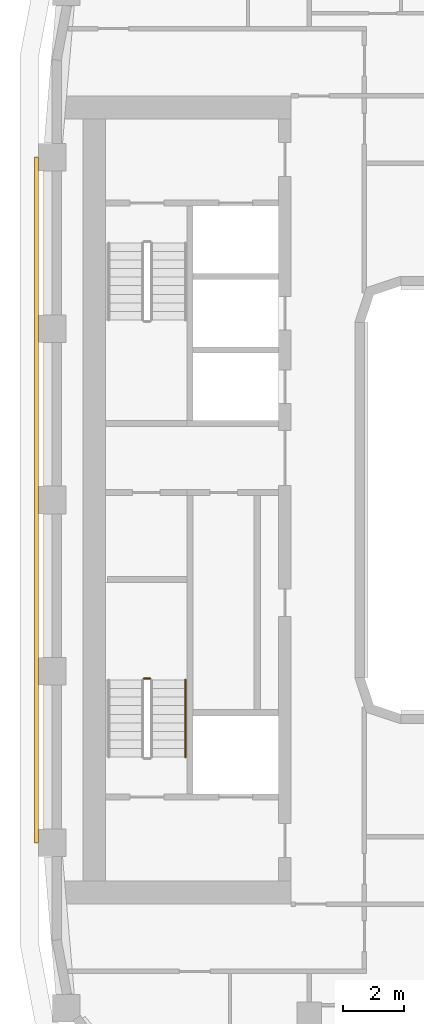
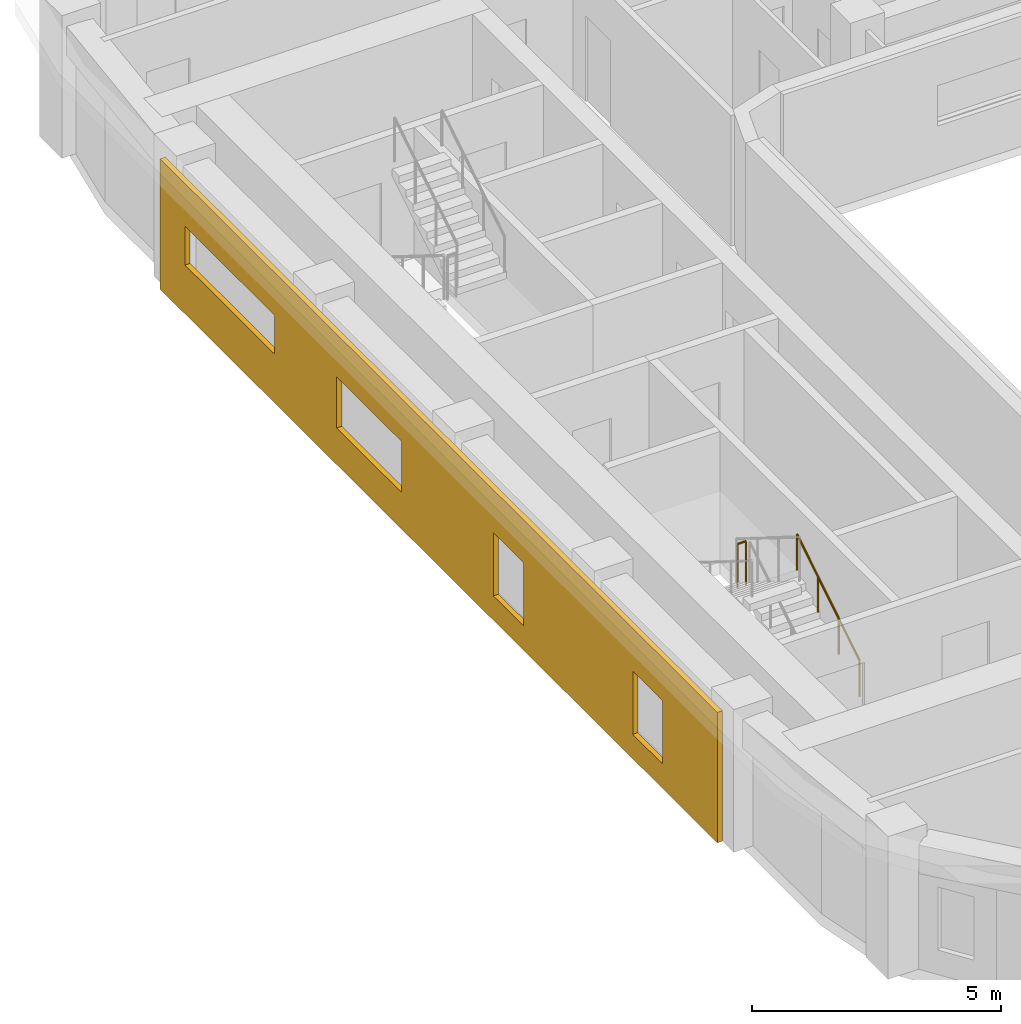
# One storey, part 12 of 20: 2 railings, 1 covering.
"""IFC4 building model written with IfcOpenShell, lengths in metres."""

from ifc_helpers import new_model, si_unit, direction, frame, origin, origin_2d, place, context, subcontext, project, spatial, polyline, circle, outline, extrude, material, layer, layer_set, type_object, element, save


model = new_model("IFC4")

# Units and contexts
model_context = context("Model", 3, precision=1e-05, world=origin(), true_north=direction((0.0, 1.0)))
body_context = subcontext(model_context, "Body", "Model", "MODEL_VIEW")
ifc_project = project(units=[si_unit("LENGTHUNIT", "METRE"), si_unit("AREAUNIT", "SQUARE_METRE"), si_unit("VOLUMEUNIT", "CUBIC_METRE"), si_unit("PLANEANGLEUNIT", "RADIAN"), si_unit("MASSUNIT", "GRAM", prefix="KILO")], contexts=[model_context])

# Site, building, storey
site_placement = place(None, origin())
site = spatial("IfcSite", under=ifc_project, at=site_placement, CompositionType="ELEMENT")
building_placement = place(site_placement, origin())
building = spatial("IfcBuilding", under=site, at=building_placement, Name="Kiln Ring Residences", CompositionType="ELEMENT")
storey_placement = place(building_placement, frame((0.0, 0.0, 206.39990234375)))
storey = spatial("IfcBuildingStorey", under=building, at=storey_placement, Name="L53", CompositionType="ELEMENT", Elevation=206.39990234375)

# Railings
ifc_material_1 = material(Name="Stainless steel", Category="steel")
railing_type_1 = type_object("IfcRailingType", Name="CORE-STAIR-GUARD", PredefinedType="GUARDRAIL", material=ifc_material_1)
railing_1_placement = place(storey_placement, frame((-22.0, -5.830078125, 1.75)))
element("IfcRailing", 1, at=railing_1_placement, inside=storey, type_object=railing_type_1, Name="L53 W-STS stair guard 2", PredefinedType="GUARDRAIL", context=body_context, shape_type="SweptSolid", body=[
    extrude(circle(Radius=0.02392578125, at=origin_2d()), frame((0.0, 0.0, 1.076171875), z_axis=(-1.0, 0.0, 0.0), x_axis=(0.0, -1.0, 0.0)), (0.0, 0.0, 1.0), 0.199951171875),
    extrude(circle(Radius=0.02099609375, at=origin_2d()), origin(), (0.0, 0.0, 1.0), 1.052001953125),
    extrude(circle(Radius=0.02099609375, at=origin_2d()), frame((-0.199951171875, 0.0, 0.0)), (0.0, 0.0, 1.0), 1.052001953125),
])
ifc_material_2 = material(Name="Stainless steel", Category="steel")
railing_type_2 = type_object("IfcRailingType", Name="CORE-STAIR-HANDRAIL", PredefinedType="HANDRAIL", material=ifc_material_2)
railing_2_placement = place(storey_placement, frame((-20.85009765625, -8.39990234375, 0.175048828125)))
element("IfcRailing", 2, at=railing_2_placement, inside=storey, type_object=railing_type_2, Name="L53 W-STS stair handrail 1", PredefinedType="HANDRAIL", context=body_context, shape_type="SweptSolid", body=[
    extrude(circle(Radius=0.02392578125, at=origin_2d()), frame((0.0, 0.0, 0.8759765625), z_axis=(0.0, 0.848007534815, 0.529984170421), x_axis=(-1.0, 0.0, 0.0)), (0.0, 0.0, 1.0), 2.9716796875),
    extrude(circle(Radius=0.02099609375, at=origin_2d()), origin(), (0.0, 0.0, 1.0), 0.851806640625),
    extrude(circle(Radius=0.02099609375, at=origin_2d()), frame((0.0, 0.840087890625, 0.52490234375)), (0.0, 0.0, 1.0), 0.851806640625),
    extrude(circle(Radius=0.02099609375, at=origin_2d()), frame((0.0, 1.679931640625, 1.050048828125)), (0.0, 0.0, 1.0), 0.851806640625),
    extrude(circle(Radius=0.02099609375, at=origin_2d()), frame((0.0, 2.52001953125, 1.574951171875)), (0.0, 0.0, 1.0), 0.851806640625),
])

# Covering
ifc_material_3 = material(Name="Brick masonry, dark clay brick", Category="masonry")
ifc_layer = layer(ifc_material_3, 0.1201171875)
ifc_layer_set = layer_set([ifc_layer], Name="RAINSCREEN PANEL 120")
covering_type = type_object("IfcCoveringType", Name="RAINSCREEN PANEL 120", PredefinedType="CLADDING", material=ifc_layer_set)
covering_placement = place(storey_placement, frame((-25.7099609375, 11.199951171875, 0.0), z_axis=(0.0, 0.0, 1.0), x_axis=(0.0, -1.0, 0.0)))
element("IfcCovering", 3, at=covering_placement, inside=storey, type_object=covering_type, Name="RAINSCREEN L53", PredefinedType="CLADDING", context=body_context, shape_type="SweptSolid", body=[
    extrude(outline(polyline([(0.0, 0.0), (22.39990234375, 0.0), (22.39990234375, 3.2001953125), (0.0, 3.2001953125), (0.0, 0.0)]), holes=[polyline([(14.60009765625, 0.60009765625), (14.60009765625, 2.150146484375), (13.39990234375, 2.150146484375), (13.39990234375, 0.60009765625), (14.60009765625, 0.60009765625)]), polyline([(20.199951171875, 0.60009765625), (20.199951171875, 2.150146484375), (19.0, 2.150146484375), (19.0, 0.60009765625), (20.199951171875, 0.60009765625)]), polyline([(9.699951171875, 0.900146484375), (9.699951171875, 2.150146484375), (7.10009765625, 2.150146484375), (7.10009765625, 0.900146484375), (9.699951171875, 0.900146484375)]), polyline([(4.60009765625, 1.2001953125), (4.60009765625, 2.150146484375), (1.0, 2.150146484375), (1.0, 1.2001953125), (4.60009765625, 1.2001953125)])]), frame((0.0, 0.06005859375, 0.0), z_axis=(0.0, -1.0, 0.0), x_axis=(1.0, 0.0, 0.0)), (0.0, 0.0, 1.0), 0.1201171875),
])

save(model, "model.ifc")
